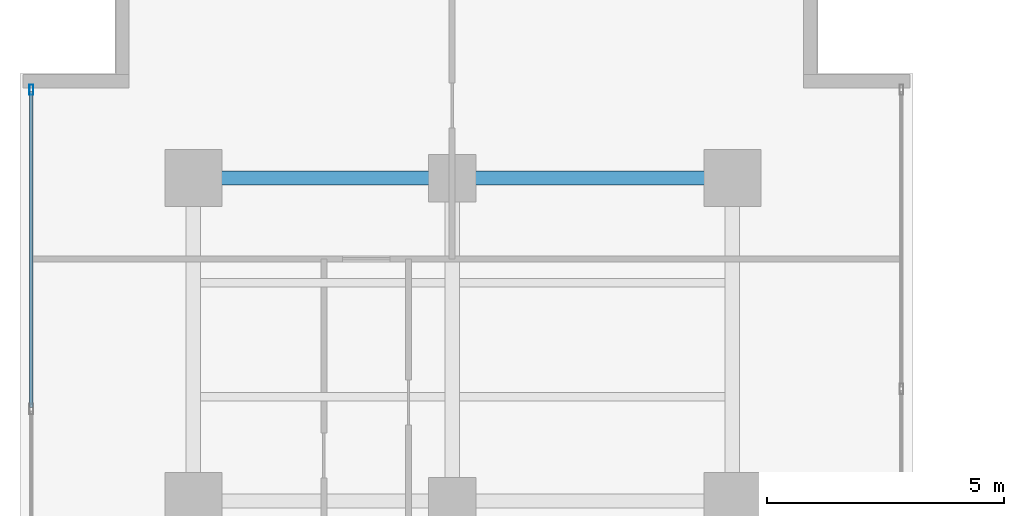
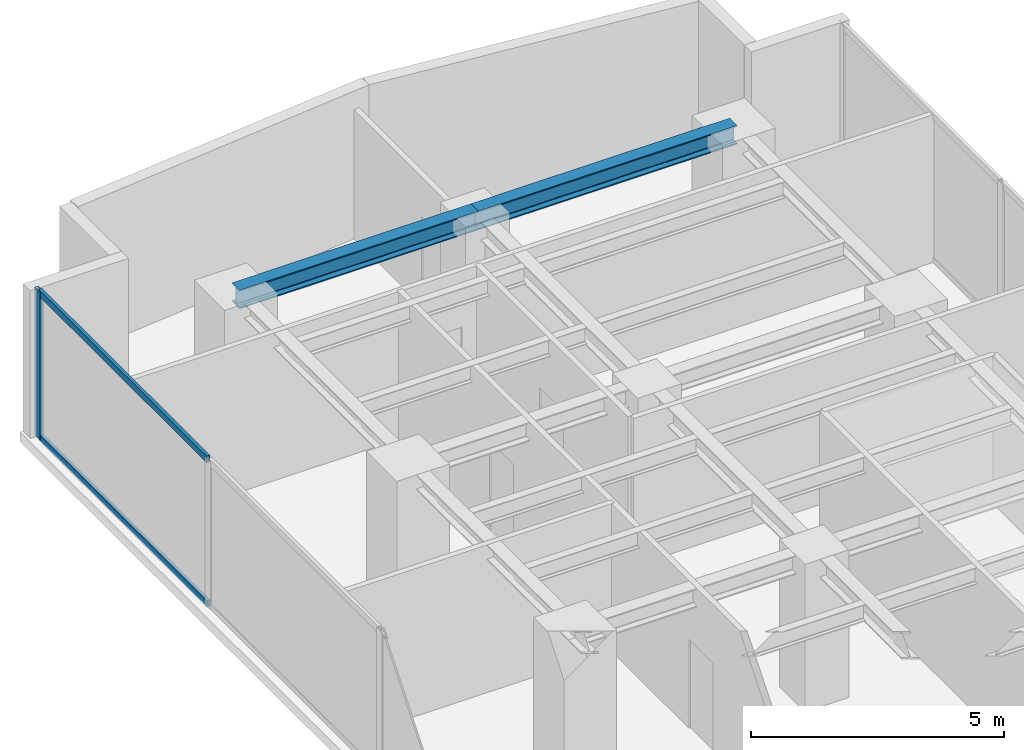
# One storey, part 16 of 23: 3 members, 2 beams, 1 element without a shape of its own.
"""IFC4 building model written with IfcOpenShell, lengths in metres."""

from ifc_helpers import new_model, si_unit, direction, frame, origin, origin_with_axes, origin_2d, place, context, subcontext, project, spatial, hollow_rectangle, i_section, extrude, source, transform, mapped, material, layer, layer_set, material_profile, profile_set, type_object, element, aggregate, save


model = new_model("IFC4")

# Units and contexts
model_context = context("Model", 3, precision=1e-05, world=origin(), true_north=direction((0.0, 1.0)))
body_context = subcontext(model_context, "Body", "Model", "MODEL_VIEW")
ifc_project = project(units=[si_unit("LENGTHUNIT", "METRE"), si_unit("AREAUNIT", "SQUARE_METRE"), si_unit("VOLUMEUNIT", "CUBIC_METRE"), si_unit("PLANEANGLEUNIT", "RADIAN"), si_unit("MASSUNIT", "GRAM", prefix="KILO")], contexts=[model_context])

# Site, building, storey
site_placement = place(None, origin())
site = spatial("IfcSite", under=ifc_project, at=site_placement, CompositionType="ELEMENT")
building_placement = place(site_placement, origin())
building = spatial("IfcBuilding", under=site, at=building_placement, Name="Kolvaren Waterfront Exchange", CompositionType="ELEMENT")
storey_placement = place(building_placement, frame((0.0, 0.0, 188.0)))
storey = spatial("IfcBuildingStorey", under=building, at=storey_placement, Name="L48", CompositionType="ELEMENT", Elevation=188.0)

# Beams
ifc_material_1 = material(Name="Steel S355", Category="steel")
ifc_material_profile_1 = material_profile(ifc_material_1, i_section(OverallWidth=0.300048828125, OverallDepth=0.449951171875, WebThickness=0.013916015625, FlangeThickness=0.02587890625, FilletRadius=0.027099609375, at=origin_2d()), Name="HEB450")
ifc_profile_set_1 = profile_set([ifc_material_profile_1], Name="Steel S355")
beam_type = type_object("IfcBeamType", Name="STR-BM-HEB450", PredefinedType="BEAM", material=ifc_profile_set_1)
beam_1_placement = place(storey_placement, frame((7.449951171875, 44.60009765625, 3.3349609375), z_axis=(1.0, 0.0, 0.0), x_axis=(0.0, 1.0, 0.0)))
element("IfcBeam", 1, at=beam_1_placement, inside=storey, type_object=beam_type, Name="L48 north-arm girder 4A", PredefinedType="BEAM", context=body_context, shape_type="SweptSolid", body=[
    extrude(i_section(OverallWidth=0.300048828125, OverallDepth=0.449951171875, WebThickness=0.013916015625, FlangeThickness=0.02587890625, FilletRadius=0.027099609375, at=origin_2d()), origin(), (0.0, 0.0, 1.0), 5.449951171875),
])
beam_2_placement = place(storey_placement, frame((12.89990234375, 44.60009765625, 3.3349609375), z_axis=(1.0, 0.0, 0.0), x_axis=(0.0, 1.0, 0.0)))
element("IfcBeam", 2, at=beam_2_placement, inside=storey, type_object=beam_type, Name="L48 north-arm girder 4B", PredefinedType="BEAM", context=body_context, shape_type="SweptSolid", body=[
    extrude(i_section(OverallWidth=0.300048828125, OverallDepth=0.449951171875, WebThickness=0.013916015625, FlangeThickness=0.02587890625, FilletRadius=0.027099609375, at=origin_2d()), origin(), (0.0, 0.0, 1.0), 5.900146484375),
])

# Curtain wall, members
ifc_material_2 = material(Name="Anodised aluminium 6063-T6", Category="aluminium")
ifc_layer = layer(ifc_material_2, 0.219970703125, Name="Anodised aluminium 6063-T6")
ifc_layer_set = layer_set([ifc_layer], Name="Anodised aluminium 6063-T6")
curtain_wall_type = type_object("IfcCurtainWallType", Name="ARC-CW-SYS2", PredefinedType="USERDEFINED", material=ifc_layer_set)
curtain_wall_placement = place(storey_placement, origin())
curtain_wall = element("IfcCurtainWall", 3, at=curtain_wall_placement, inside=storey, type_object=curtain_wall_type, Name="L48 stick curtain wall CW2 (CW-L48-W)", ObjectType="STICK CURTAIN WALL", PredefinedType="USERDEFINED")
ifc_material_profile_2 = material_profile(ifc_material_2, hollow_rectangle(XDim=0.080078125, YDim=0.219970703125, WallThickness=0.0048828125, at=origin_2d()), Name="ALU-MUL-220x80x5")
ifc_profile_set_2 = profile_set([ifc_material_profile_2], Name="Anodised aluminium 6063-T6")
member_type_1 = type_object("IfcMemberType", Name="ARC-CWM-220", PredefinedType="MULLION", material=ifc_profile_set_2)
shared_shape_1 = source(origin_with_axes(), body_context, "Body", "SweptSolid", [
    extrude(hollow_rectangle(XDim=0.080078125, YDim=0.219970703125, WallThickness=0.0048828125, at=origin_2d()), origin(), (0.0, 0.0, 1.0), 3.56005859375),
])
member_1_placement = place(storey_placement, frame((4.0400390625, 46.4599609375, 0.0), z_axis=(0.0, 0.0, 1.0), x_axis=(-1.0, 0.0, 0.0)))
member_1 = element("IfcMember", 4, at=member_1_placement, type_object=member_type_1, Name="CW2 mullion 7", PredefinedType="MULLION", context=body_context, shape_type="MappedRepresentation", body=[
    mapped(shared_shape_1, transform((0.0, 0.0, 0.0), x_axis=(1.0, 0.0, 0.0), y_axis=(0.0, 1.0, 0.0), z_axis=(0.0, 0.0, 1.0), scale=1.0)),
])
ifc_material_profile_3 = material_profile(ifc_material_2, hollow_rectangle(XDim=0.074951171875, YDim=0.159912109375, WallThickness=0.00439453125, at=origin_2d()), Name="ALU-TRN-160x75x4.5")
ifc_profile_set_3 = profile_set([ifc_material_profile_3], Name="Anodised aluminium 6063-T6")
member_type_2 = type_object("IfcMemberType", Name="ARC-CWT-160", PredefinedType="USERDEFINED", material=ifc_profile_set_3)
shared_shape_2 = source(origin_with_axes(), body_context, "Body", "SweptSolid", [
    extrude(hollow_rectangle(XDim=0.074951171875, YDim=0.159912109375, WallThickness=0.00439453125, at=origin_2d()), origin(), (0.0, 0.0, 1.0), 6.646484375),
])
member_2_placement = place(storey_placement, frame((4.0400390625, 39.7734375, 0.03759765625), z_axis=(0.0, 1.0, 0.0), x_axis=(-1.0, 0.0, 0.0)))
member_2 = element("IfcMember", 5, at=member_2_placement, type_object=member_type_2, Name="CW2 transom 6.1", ObjectType="TRANSOM", PredefinedType="USERDEFINED", context=body_context, shape_type="MappedRepresentation", body=[
    mapped(shared_shape_2, transform((0.0, 0.0, 0.0), x_axis=(1.0, 0.0, 0.0), y_axis=(0.0, 1.0, 0.0), z_axis=(0.0, 0.0, 1.0), scale=1.0)),
])
member_3_placement = place(storey_placement, frame((4.0400390625, 39.7734375, 3.5224609375), z_axis=(0.0, 1.0, 0.0), x_axis=(-1.0, 0.0, 0.0)))
member_3 = element("IfcMember", 6, at=member_3_placement, type_object=member_type_2, Name="CW2 transom 6.2", ObjectType="TRANSOM", PredefinedType="USERDEFINED", context=body_context, shape_type="MappedRepresentation", body=[
    mapped(shared_shape_2, transform((0.0, 0.0, 0.0), x_axis=(1.0, 0.0, 0.0), y_axis=(0.0, 1.0, 0.0), z_axis=(0.0, 0.0, 1.0), scale=1.0)),
])
aggregate(curtain_wall, [member_1, member_2, member_3])

save(model, "model.ifc")
